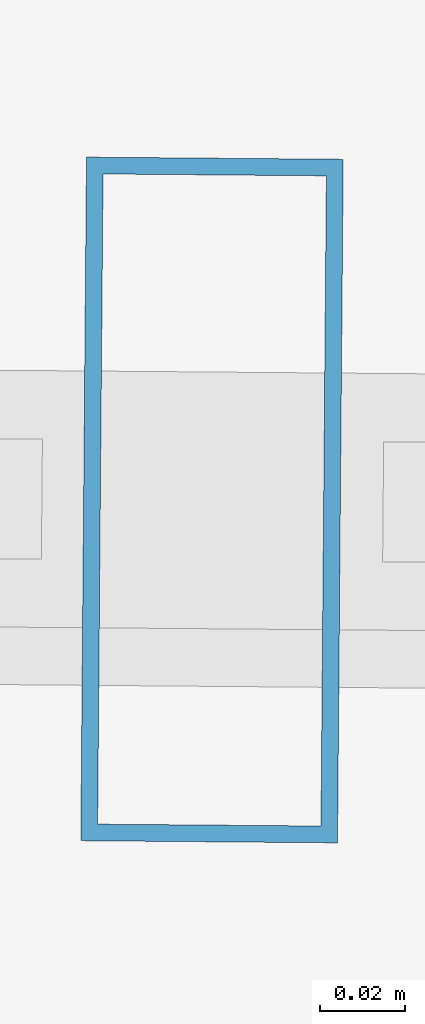
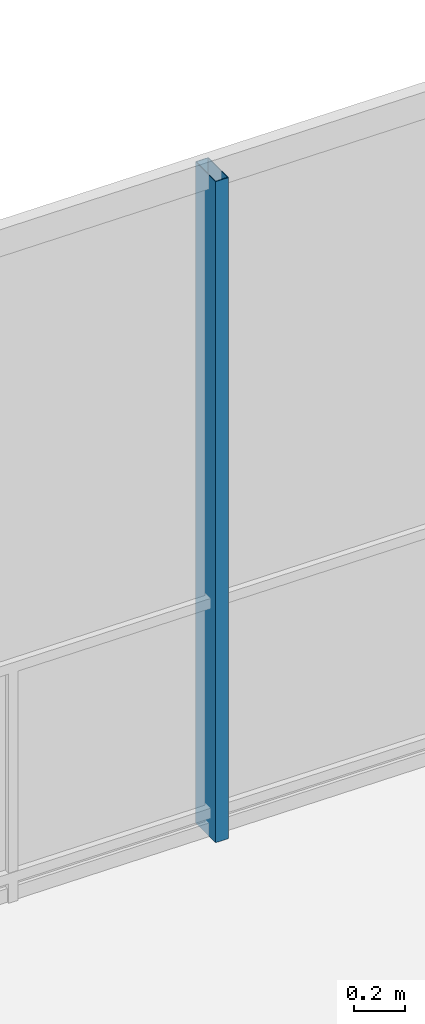
# One storey, part 19 of 31: 1 member, 1 element without a shape of its own.
"""IFC4 building model written with IfcOpenShell, lengths in metres."""

import ifcopenshell
import ifcopenshell.guid

model = None  # the IFC model being written
_history = None  # IfcOwnerHistory: only IFC2X3 demands one
_inside = {}  # id of a spatial element -> (the spatial element, [elements in it])
_under = {}  # id of a project, library or spatial element -> (it, [spatial elements below it])
_declared = {}  # id of a project -> (the project, [libraries it declares])
_typed = {}  # id of a type object -> (the type object, [elements of that type])
_made_of = {}  # id of a material, layer set ... -> (it, [elements and type objects made of it])


def new_model(schema):
    """Start an empty IFC model of exactly this schema.

    Asked for "IFC4X3", IfcOpenShell would pick the latest addendum, in which some entities
    have other attributes; the version numbers below select the first issue.
    IFC2X3 requires an IfcOwnerHistory on every rooted entity: one is made here for all.
    """
    global model, _history
    if schema == "IFC4X3":
        model = ifcopenshell.file(schema_version=(4, 3, 0, 0))
    else:
        model = ifcopenshell.file(schema=schema)
    _inside.clear()
    _under.clear()
    _declared.clear()
    _typed.clear()
    _made_of.clear()
    _history = None
    if model.schema == "IFC2X3":
        org = make("IfcOrganization", Name="unknown")
        user = make(
            "IfcPersonAndOrganization",
            ThePerson=make("IfcPerson", FamilyName="unknown"),
            TheOrganization=org,
        )
        app = make(
            "IfcApplication",
            ApplicationDeveloper=org,
            Version="unknown",
            ApplicationFullName="unknown",
            ApplicationIdentifier="unknown",
        )
        _history = make(
            "IfcOwnerHistory",
            OwningUser=user,
            OwningApplication=app,
            ChangeAction="ADDED",
            CreationDate=0,
        )
    return model


def make(cls, **values):
    """One entity of the class cls with the attributes given. An attribute that is None is left unset."""
    return model.create_entity(
        cls, **{name: value for name, value in values.items() if value is not None}
    )


def rooted(cls, **values):
    """An entity with a GlobalId (a new one), such as an element, a storey or a relation."""
    return make(cls, GlobalId=ifcopenshell.guid.new(), OwnerHistory=_history, **values)


def si_unit(unit_type, name, prefix=None):
    """IfcSIUnit, for example si_unit("LENGTHUNIT", "METRE", prefix="MILLI")."""
    return make("IfcSIUnit", UnitType=unit_type, Prefix=prefix, Name=name)


def assignment(units):
    """IfcUnitAssignment: the units of a project."""
    return None if units is None else make("IfcUnitAssignment", Units=units)


def point(xyz):
    """IfcCartesianPoint."""
    return None if xyz is None else make("IfcCartesianPoint", Coordinates=xyz)


def direction(xyz):
    """IfcDirection."""
    return None if xyz is None else make("IfcDirection", DirectionRatios=xyz)


def frame(location, z_axis=None, x_axis=None):
    """IfcAxis2Placement3D, a coordinate frame: its origin and axes. An axis left out is left unset."""
    return make(
        "IfcAxis2Placement3D",
        Location=point(location),
        Axis=direction(z_axis),
        RefDirection=direction(x_axis),
    )


def frame_2d(location, x_axis=None):
    """IfcAxis2Placement2D, a coordinate frame in the plane: its origin and x axis."""
    return make(
        "IfcAxis2Placement2D", Location=point(location), RefDirection=direction(x_axis)
    )


def origin():
    """The frame at (0, 0, 0) with its axes left unset."""
    return frame((0.0, 0.0, 0.0))


def origin_2d():
    """The frame at (0, 0) in the plane with its x axis left unset."""
    return frame_2d((0.0, 0.0))


def place(relative_to, where):
    """IfcLocalPlacement: puts the frame where relative to a parent placement (None: the world)."""
    return make(
        "IfcLocalPlacement", PlacementRelTo=relative_to, RelativePlacement=where
    )


def context(
    kind, dimensions, precision=None, world=None, true_north=None, identifier=None
):
    """IfcGeometricRepresentationContext, for example the 3D "Model" context."""
    return make(
        "IfcGeometricRepresentationContext",
        ContextIdentifier=identifier,
        ContextType=kind,
        CoordinateSpaceDimension=dimensions,
        Precision=precision,
        WorldCoordinateSystem=world,
        TrueNorth=true_north,
    )


def subcontext(parent, identifier, kind, view, scale=None):
    """IfcGeometricRepresentationSubContext, for example "Body" below "Model"."""
    return make(
        "IfcGeometricRepresentationSubContext",
        ContextIdentifier=identifier,
        ContextType=kind,
        ParentContext=parent,
        TargetScale=scale,
        TargetView=view,
    )


def project(units=None, contexts=None):
    """IfcProject with its units and contexts."""
    return rooted(
        "IfcProject",
        Name="project",
        RepresentationContexts=contexts,
        UnitsInContext=assignment(units),
    )


def spatial(cls, under=None, at=None, **own):
    """A site, building, storey or space (cls), placed at a placement, below another one or the project."""
    s = rooted(cls, ObjectPlacement=at, **own)
    if under is not None:
        _under.setdefault(under.id(), (under, []))[1].append(s)
    return s


def profile(cls, at=None, kind="AREA", **sizes):
    """A parametric profile (cls). Its sizes go by their IFC names, for example OverallWidth=200.0."""
    return make(cls, ProfileType=kind, Position=at, **sizes)


def hollow_rectangle(**sizes):
    """IfcRectangleHollowProfileDef."""
    return profile("IfcRectangleHollowProfileDef", **sizes)


def extrude(swept, where, along, depth):
    """IfcExtrudedAreaSolid: the profile swept, set in the frame where, extruded along a direction by depth."""
    return make(
        "IfcExtrudedAreaSolid",
        SweptArea=swept,
        Position=where,
        ExtrudedDirection=direction(along),
        Depth=depth,
    )


def shape(context_of_items, identifier, shape_type, items):
    """IfcShapeRepresentation: the items that make up one representation, for example the "Body"."""
    return make(
        "IfcShapeRepresentation",
        ContextOfItems=context_of_items,
        RepresentationIdentifier=identifier,
        RepresentationType=shape_type,
        Items=items,
    )


def material(Name=None, Category=None):
    """IfcMaterial."""
    return make("IfcMaterial", Name=Name, Category=Category)


def layer(
    of_material, thickness, ventilated=None, Name=None, Category=None, Priority=None
):
    """IfcMaterialLayer: one layer of a wall or slab, of a material (None: an air gap)."""
    return make(
        "IfcMaterialLayer",
        Material=of_material,
        LayerThickness=thickness,
        IsVentilated=ventilated,
        Name=Name,
        Category=Category,
        Priority=Priority,
    )


def layer_set(layers, Name=None):
    """IfcMaterialLayerSet."""
    return make("IfcMaterialLayerSet", MaterialLayers=layers, LayerSetName=Name)


def material_profile(
    of_material, cross_section, Name=None, Category=None, Priority=None
):
    """IfcMaterialProfile: a cross section and its material."""
    return make(
        "IfcMaterialProfile",
        Name=Name,
        Material=of_material,
        Profile=cross_section,
        Priority=Priority,
        Category=Category,
    )


def profile_set(profiles, Name=None, composite=None):
    """IfcMaterialProfileSet."""
    return make(
        "IfcMaterialProfileSet",
        Name=Name,
        MaterialProfiles=profiles,
        CompositeProfile=composite,
    )


def made_of(thing, what):
    """Note that an element or type object is made of a material, layer set ...; save() writes the relation."""
    if what is not None:
        _made_of.setdefault(what.id(), (what, []))[1].append(thing)
    return thing


def type_object(cls, material=None, **own):
    """A type object (cls), such as IfcWallType, which elements share."""
    return made_of(rooted(cls, **own), material)


def element(
    cls,
    number,
    at=None,
    inside=None,
    cuts=None,
    type_object=None,
    material=None,
    context=None,
    identifier="Body",
    shape_type=None,
    held_by="IfcProductDefinitionShape",
    body=None,
    shapes=None,
    **own,
):
    """One element of the class cls, such as IfcWall. Its Tag is "e" and its number.

    at: its placement. inside: the storey or other place that contains it. cuts: it is an
    opening in that element (IfcRelVoidsElement). A single representation is given by context,
    identifier, shape_type and body (its items); several are given by shapes. held_by: the class
    of the entity that holds the representations. save() writes the other relations.
    """
    e = rooted(cls, Tag="e%d" % number, ObjectPlacement=at, **own)
    if body is not None:
        shapes = [shape(context, identifier, shape_type, body)]
    if shapes is not None:
        e.Representation = make(held_by, Representations=shapes)
    if inside is not None:
        _inside.setdefault(inside.id(), (inside, []))[1].append(e)
    if cuts is not None:
        rooted(
            "IfcRelVoidsElement", RelatingBuildingElement=cuts, RelatedOpeningElement=e
        )
    if type_object is not None:
        _typed.setdefault(type_object.id(), (type_object, []))[1].append(e)
    return made_of(e, material)


def aggregate(whole, parts):
    """IfcRelAggregates: a whole, such as a stair, and the parts it consists of."""
    return rooted("IfcRelAggregates", RelatingObject=whole, RelatedObjects=parts)


def save(model, path):
    """Write the relations noted so far, then the file.

    IfcRelAggregates (storeys below a building ...), IfcRelContainedInSpatialStructure (elements
    in a storey), IfcRelDefinesByType, IfcRelAssociatesMaterial and IfcRelDeclares: one each for
    every whole, place, type object, material and project.
    """
    for whole, parts in _under.values():
        aggregate(whole, parts)
    for where, things in _inside.values():
        rooted(
            "IfcRelContainedInSpatialStructure",
            RelatedElements=things,
            RelatingStructure=where,
        )
    for kind, things in _typed.values():
        rooted("IfcRelDefinesByType", RelatedObjects=things, RelatingType=kind)
    for what, things in _made_of.values():
        rooted("IfcRelAssociatesMaterial", RelatedObjects=things, RelatingMaterial=what)
    for by, libraries in _declared.values():
        rooted("IfcRelDeclares", RelatingContext=by, RelatedDefinitions=libraries)
    model.write(path)


model = new_model("IFC4")

# Units and contexts
model_context = context("Model", 3, precision=1e-05, world=origin(), true_north=direction((0.0, 1.0)))
body_context = subcontext(model_context, "Body", "Model", "MODEL_VIEW")
ifc_project = project(units=[si_unit("LENGTHUNIT", "METRE"), si_unit("AREAUNIT", "SQUARE_METRE"), si_unit("VOLUMEUNIT", "CUBIC_METRE"), si_unit("PLANEANGLEUNIT", "RADIAN"), si_unit("MASSUNIT", "GRAM", prefix="KILO")], contexts=[model_context])

# Site, building, storey
site_placement = place(None, origin())
site = spatial("IfcSite", under=ifc_project, at=site_placement, CompositionType="ELEMENT")
building_placement = place(site_placement, origin())
building = spatial("IfcBuilding", under=site, at=building_placement, Name="Qarnah Convention Tower", CompositionType="ELEMENT")
storey_placement = place(building_placement, frame((0.0, 0.0, 64.949951171875)))
storey = spatial("IfcBuildingStorey", under=building, at=storey_placement, Name="L16", CompositionType="ELEMENT", Elevation=64.949951171875)

# Curtain wall, member
ifc_material_1 = material(Name="Tempered Low-E dark glass", Category="glass")
ifc_layer = layer(ifc_material_1, 0.16796875)
ifc_layer_set = layer_set([ifc_layer], Name="Tempered Low-E dark glass")
curtain_wall_type = type_object("IfcCurtainWallType", Name="CWS-01", PredefinedType="NOTDEFINED", material=ifc_layer_set)
curtain_wall_placement = place(storey_placement, origin())
curtain_wall = element("IfcCurtainWall", 1, at=curtain_wall_placement, inside=storey, type_object=curtain_wall_type, Name="L16 unitised curtain wall CW-L16-F1", PredefinedType="NOTDEFINED")
ifc_material_2 = material(Name="Black anodised aluminium", Category="aluminium")
ifc_material_profile = material_profile(ifc_material_2, hollow_rectangle(XDim=0.06005859375, YDim=0.159912109375, WallThickness=0.00390625, at=origin_2d()), Name="MUL-60X160")
ifc_profile_set = profile_set([ifc_material_profile], Name="Black anodised aluminium")
member_type = type_object("IfcMemberType", Name="MUL-T1", PredefinedType="MULLION", material=ifc_profile_set)
member_placement = place(storey_placement, frame((34.955322265625, 44.539306640625, 0.0), z_axis=(0.0, 0.0, 1.0), x_axis=(0.999965190634, -0.008343711474, 0.0)))
member = element("IfcMember", 2, at=member_placement, type_object=member_type, Name="CW-L16-F1 mullion 3", PredefinedType="MULLION", context=body_context, shape_type="SweptSolid", body=[
    extrude(hollow_rectangle(XDim=0.06005859375, YDim=0.159912109375, WallThickness=0.00390625, at=origin_2d()), origin(), (0.0, 0.0, 1.0), 3.170166015625),
])
aggregate(curtain_wall, [member])

save(model, "model.ifc")
